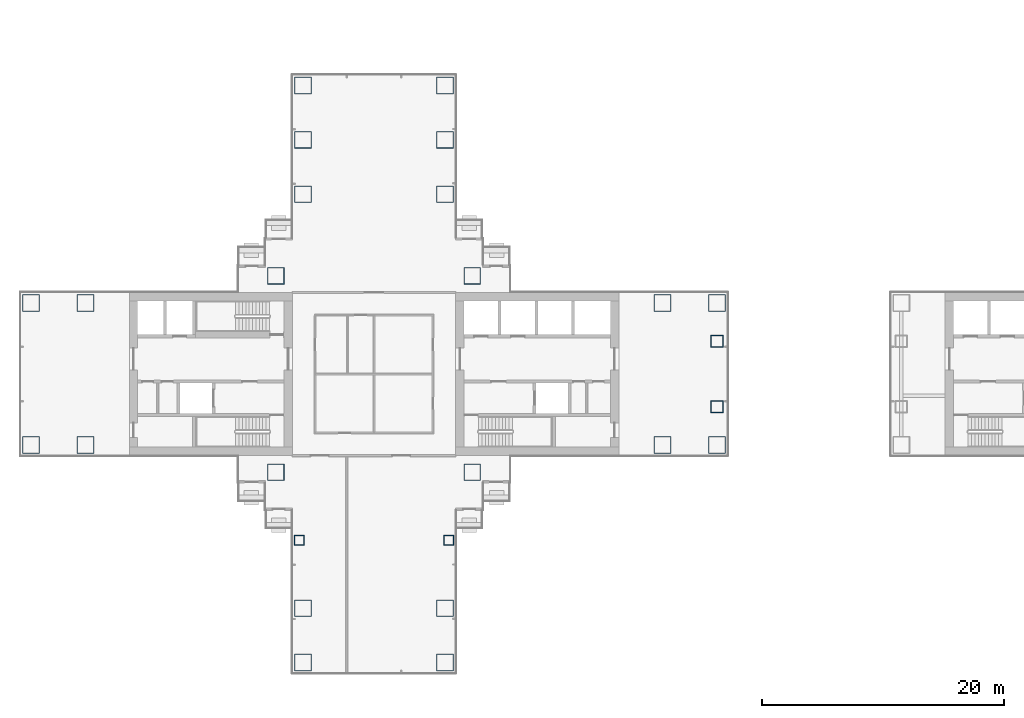
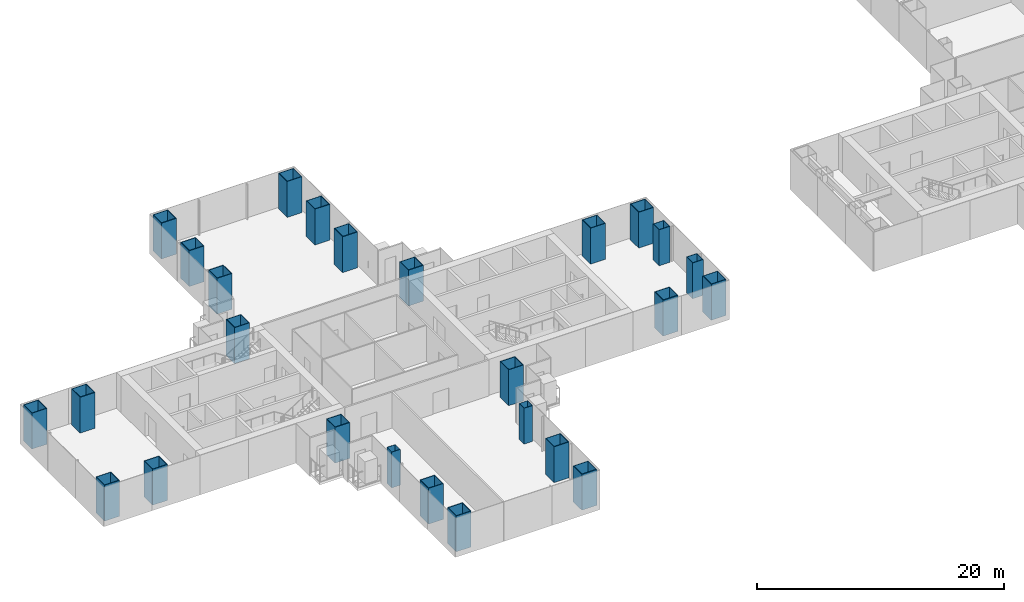
# One storey, part 1 of 21: 26 columns.
"""IFC4 building model written with IfcOpenShell, lengths in metres."""

from ifc_helpers import new_model, si_unit, direction, frame, origin, origin_2d, place, context, subcontext, project, spatial, hollow_rectangle, extrude, material, material_profile, profile_set, type_object, element, save


model = new_model("IFC4")

# Units and contexts
model_context = context("Model", 3, precision=1e-05, world=origin(), true_north=direction((0.0, 1.0)))
body_context = subcontext(model_context, "Body", "Model", "MODEL_VIEW")
ifc_project = project(units=[si_unit("LENGTHUNIT", "METRE"), si_unit("AREAUNIT", "SQUARE_METRE"), si_unit("VOLUMEUNIT", "CUBIC_METRE"), si_unit("PLANEANGLEUNIT", "RADIAN"), si_unit("MASSUNIT", "GRAM", prefix="KILO")], contexts=[model_context])

# Site, building, storey
site_placement = place(None, origin())
site = spatial("IfcSite", under=ifc_project, at=site_placement, CompositionType="ELEMENT")
building_placement = place(site_placement, origin())
building = spatial("IfcBuilding", under=site, at=building_placement, Name="Shamsa Quay Exchange Towers", CompositionType="ELEMENT")
storey_placement = place(building_placement, frame((0.0, 0.0, 61.5)))
storey = spatial("IfcBuildingStorey", under=building, at=storey_placement, Name="L13", CompositionType="ELEMENT", Elevation=61.5)

# Columns
ifc_material_1 = material(Name="Concrete-filled steel tube S355 / C80/95", Category="concrete")
ifc_material_profile_1 = material_profile(ifc_material_1, hollow_rectangle(XDim=1.39990234375, YDim=1.39990234375, WallThickness=0.050048828125, at=origin_2d()), Name="CFT 1400x1400x50")
ifc_profile_set_1 = profile_set([ifc_material_profile_1], Name="Concrete-filled steel tube S355 / C80/95")
column_type_1 = type_object("IfcColumnType", Name="Column CFT 1400x1400x50", PredefinedType="COLUMN", material=ifc_profile_set_1)
for number, where, name in (
    (1, (-25.625, 8.125, 0.0), "Mega column T1-CM01"),
    (2, (-25.625, -8.125, 0.0), "Mega column T1-CM02"),
    (3, (-41.875, 8.125, 0.0), "Mega column T1-CM03"),
    (4, (-41.875, -8.125, 0.0), "Mega column T1-CM04"),
    (5, (-9.875, -5.875, 0.0), "Mega column T1-CM05"),
    (6, (-5.375, -5.875, 0.0), "Mega column T1-CM06"),
    (7, (-9.875, 5.875, 0.0), "Mega column T1-CM07"),
    (8, (-5.375, 5.875, 0.0), "Mega column T1-CM08"),
    (9, (-57.625, -5.875, 0.0), "Mega column T1-CM09"),
    (10, (-62.125, -5.875, 0.0), "Mega column T1-CM10"),
    (11, (-57.625, 5.875, 0.0), "Mega column T1-CM11"),
    (12, (-62.125, 5.875, 0.0), "Mega column T1-CM12"),
    (13, (-39.625, 14.875, 0.0), "Mega column T1-CM13"),
    (14, (-39.625, 19.375, 0.0), "Mega column T1-CM14"),
    (15, (-39.625, 23.875, 0.0), "Mega column T1-CM15"),
    (16, (-27.875, 14.875, 0.0), "Mega column T1-CM16"),
    (17, (-27.875, 19.375, 0.0), "Mega column T1-CM17"),
    (18, (-27.875, 23.875, 0.0), "Mega column T1-CM18"),
    (19, (-39.625, -19.375, 0.0), "Mega column T1-CM20"),
    (20, (-39.625, -23.875, 0.0), "Mega column T1-CM21"),
    (21, (-27.875, -19.375, 0.0), "Mega column T1-CM23"),
    (22, (-27.875, -23.875, 0.0), "Mega column T1-CM24"),
):
    element("IfcColumn", number, at=place(storey_placement, frame(where)), inside=storey, type_object=column_type_1, Name=name, PredefinedType="COLUMN", context=body_context, shape_type="SweptSolid", body=[
        extrude(hollow_rectangle(XDim=1.39990234375, YDim=1.39990234375, WallThickness=0.050048828125, at=origin_2d()), origin(), (0.0, 0.0, 1.0), 3.550048828125),
    ])
ifc_material_2 = material(Name="Concrete-filled steel tube S355 / C60/75", Category="concrete")
ifc_material_profile_2 = material_profile(ifc_material_2, hollow_rectangle(XDim=0.800048828125, YDim=0.800048828125, WallThickness=0.02490234375, at=origin_2d()), Name="CFT 800x800x25")
ifc_profile_set_2 = profile_set([ifc_material_profile_2], Name="Concrete-filled steel tube S355 / C60/75")
column_type_2 = type_object("IfcColumnType", Name="Column CFT 800x800x25", PredefinedType="COLUMN", material=ifc_profile_set_2)
for number, where, name in (
    (23, (-39.9375, -13.75, 0.0), "Perimeter column T1-CP19"),
    (24, (-27.5625, -13.75, 0.0), "Perimeter column T1-CP22"),
):
    element("IfcColumn", number, at=place(storey_placement, frame(where)), inside=storey, type_object=column_type_2, Name=name, PredefinedType="COLUMN", context=body_context, shape_type="SweptSolid", body=[
        extrude(hollow_rectangle(XDim=0.800048828125, YDim=0.800048828125, WallThickness=0.02490234375, at=origin_2d()), origin(), (0.0, 0.0, 1.0), 3.550048828125),
    ])
ifc_material_3 = material(Name="Concrete-filled steel tube S355 / C70/85", Category="concrete")
ifc_material_profile_3 = material_profile(ifc_material_3, hollow_rectangle(XDim=1.0, YDim=1.0, WallThickness=0.0400390625, at=origin_2d()), Name="CFT 1000x1000x40")
ifc_profile_set_3 = profile_set([ifc_material_profile_3], Name="Concrete-filled steel tube S355 / C70/85")
column_type_3 = type_object("IfcColumnType", Name="Landing column CFT 1000x1000x40", PredefinedType="COLUMN", material=ifc_profile_set_3)
for number, where, name in (
    (25, (-5.375, -2.699951171875, 0.0), "Landing column T1 S"),
    (26, (-5.375, 2.699951171875, 0.0), "Landing column T1 N"),
):
    element("IfcColumn", number, at=place(storey_placement, frame(where)), inside=storey, type_object=column_type_3, Name=name, PredefinedType="COLUMN", context=body_context, shape_type="SweptSolid", body=[
        extrude(hollow_rectangle(XDim=1.0, YDim=1.0, WallThickness=0.0400390625, at=origin_2d()), origin(), (0.0, 0.0, 1.0), 3.550048828125),
    ])

save(model, "model.ifc")
